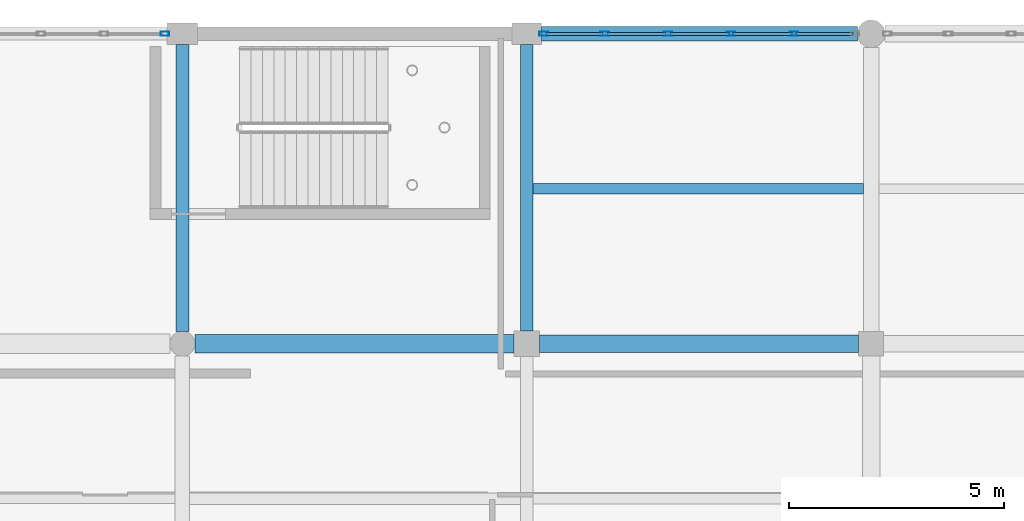
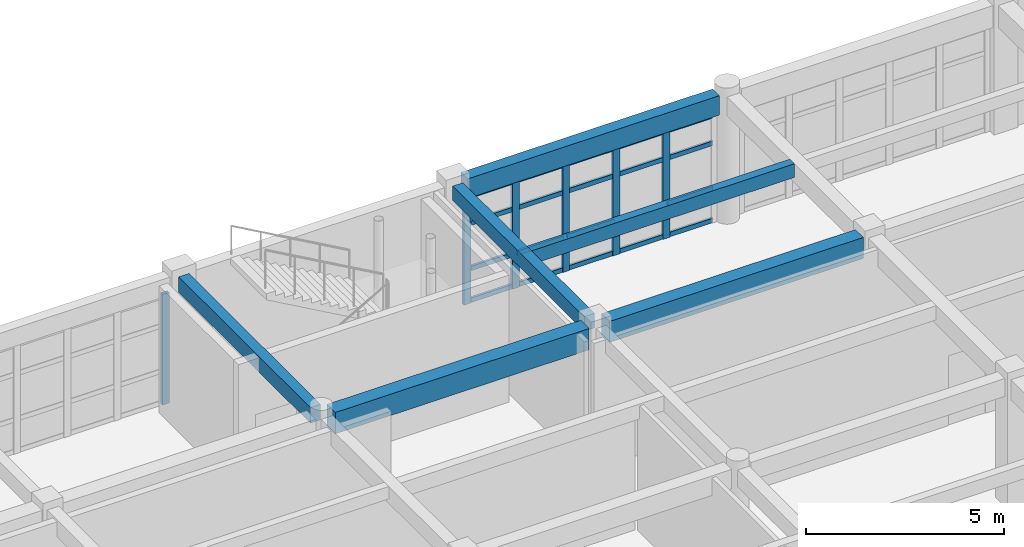
# One storey, part 84 of 121: 26 members, 6 beams, 2 elements without a shape of their own.
"""IFC4 building model written with IfcOpenShell, lengths in metres."""

from ifc_helpers import new_model, si_unit, direction, frame, origin, origin_2d, place, context, subcontext, project, spatial, rectangle, hollow_rectangle, extrude, material, material_profile, profile_set, type_object, element, aggregate, save


model = new_model("IFC4")

# Units and contexts
model_context = context("Model", 3, precision=1e-05, world=origin(), true_north=direction((0.0, 1.0)))
body_context = subcontext(model_context, "Body", "Model", "MODEL_VIEW")
ifc_project = project(units=[si_unit("LENGTHUNIT", "METRE"), si_unit("AREAUNIT", "SQUARE_METRE"), si_unit("VOLUMEUNIT", "CUBIC_METRE"), si_unit("PLANEANGLEUNIT", "RADIAN"), si_unit("MASSUNIT", "GRAM", prefix="KILO")], contexts=[model_context])

# Site, building, storey
site_placement = place(None, origin())
site = spatial("IfcSite", under=ifc_project, at=site_placement, CompositionType="ELEMENT")
building_placement = place(site_placement, origin())
building = spatial("IfcBuilding", under=site, at=building_placement, Name="Kharva Crest Polytechnic", CompositionType="ELEMENT")
storey_placement = place(building_placement, frame((0.0, 0.0, 13.199951171875)))
storey = spatial("IfcBuildingStorey", under=building, at=storey_placement, Name="L03", CompositionType="ELEMENT", Elevation=13.199951171875)

# Beams
ifc_material_1 = material(Name="Concrete C35/45", Category="concrete")
ifc_material_profile_1 = material_profile(ifc_material_1, rectangle(XDim=0.300048828125, YDim=0.449951171875, at=origin_2d()), Name="RECT 300 X 450")
ifc_profile_set_1 = profile_set([ifc_material_profile_1], Name="Concrete C35/45")
beam_type_1 = type_object("IfcBeamType", Name="BM-RC-300X450", PredefinedType="BEAM", material=ifc_profile_set_1)
beam_1_placement = place(storey_placement, frame((152.800048828125, 115.10009765625, 3.735107421875), z_axis=(0.0, 1.0, 0.0), x_axis=(-1.0, 0.0, 0.0)))
element("IfcBeam", 1, at=beam_1_placement, inside=storey, type_object=beam_type_1, Name="L03 Girder 20/R-S", PredefinedType="BEAM", context=body_context, shape_type="SweptSolid", body=[
    extrude(rectangle(XDim=0.300048828125, YDim=0.449951171875, at=origin_2d()), origin(), (0.0, 0.0, 1.0), 6.64990234375),
])
ifc_material_profile_2 = material_profile(ifc_material_1, rectangle(XDim=0.300048828125, YDim=0.47998046875, at=origin_2d()), Name="RECT 300 X 480")
ifc_profile_set_2 = profile_set([ifc_material_profile_2], Name="Concrete C35/45")
beam_type_2 = type_object("IfcBeamType", Name="BM-RC-300X480", PredefinedType="BEAM", material=ifc_profile_set_2)
beam_2_placement = place(storey_placement, frame((144.800048828125, 115.090087890625, 3.719970703125), z_axis=(0.0, 1.0, 0.0), x_axis=(-1.0, 0.0, 0.0)))
element("IfcBeam", 2, at=beam_2_placement, inside=storey, type_object=beam_type_2, Name="L03 Girder 19/R-S", PredefinedType="BEAM", context=body_context, shape_type="SweptSolid", body=[
    extrude(rectangle(XDim=0.300048828125, YDim=0.47998046875, at=origin_2d()), origin(), (0.0, 0.0, 1.0), 6.659912109375),
])
ifc_material_profile_3 = material_profile(ifc_material_1, rectangle(XDim=0.39990234375, YDim=0.64990234375, at=origin_2d()), Name="RECT 400 X 650")
ifc_profile_set_3 = profile_set([ifc_material_profile_3], Name="Concrete C35/45")
beam_type_3 = type_object("IfcBeamType", Name="BM-RC-400X650", PredefinedType="BEAM", material=ifc_profile_set_3)
beam_3_placement = place(storey_placement, frame((153.10009765625, 114.800048828125, 3.635009765625), z_axis=(1.0, 0.0, 0.0), x_axis=(0.0, 1.0, 0.0)))
element("IfcBeam", 3, at=beam_3_placement, inside=storey, type_object=beam_type_3, Name="L03 Beam R/20-21", PredefinedType="BEAM", context=body_context, shape_type="SweptSolid", body=[
    extrude(rectangle(XDim=0.39990234375, YDim=0.64990234375, at=origin_2d()), origin(), (0.0, 0.0, 1.0), 7.409912109375),
])
ifc_material_profile_4 = material_profile(ifc_material_1, rectangle(XDim=0.419921875, YDim=0.659912109375, at=origin_2d()), Name="RECT 420 X 660")
ifc_profile_set_4 = profile_set([ifc_material_profile_4], Name="Concrete C35/45")
beam_type_4 = type_object("IfcBeamType", Name="BM-RC-420X660", PredefinedType="BEAM", material=ifc_profile_set_4)
beam_4_placement = place(storey_placement, frame((145.090087890625, 114.800048828125, 3.630126953125), z_axis=(1.0, 0.0, 0.0), x_axis=(0.0, 1.0, 0.0)))
element("IfcBeam", 4, at=beam_4_placement, inside=storey, type_object=beam_type_4, Name="L03 Beam R/19-20", PredefinedType="BEAM", context=body_context, shape_type="SweptSolid", body=[
    extrude(rectangle(XDim=0.419921875, YDim=0.659912109375, at=origin_2d()), origin(), (0.0, 0.0, 1.0), 7.409912109375),
])

# Curtain wall, members
ifc_material_2 = material(Name="Tempered insulated glass", Category="glass")
curtain_wall_type = type_object("IfcCurtainWallType", Name="CW-SYS-LIBRARY", PredefinedType="USERDEFINED", material=ifc_material_2)
curtain_wall_1_placement = place(storey_placement, origin())
curtain_wall_1 = element("IfcCurtainWall", 5, at=curtain_wall_1_placement, inside=storey, type_object=curtain_wall_type, Name="L03 Glazed Curtain Wall CW-156", ObjectType="CURTAIN WALL", PredefinedType="USERDEFINED")
ifc_material_3 = material(Name="Steel S355", Category="steel")
ifc_material_profile_5 = material_profile(ifc_material_3, hollow_rectangle(XDim=0.10009765625, YDim=0.199951171875, WallThickness=0.00634765625, at=origin_2d()), Name="RHS 200X100X6.3")
ifc_profile_set_5 = profile_set([ifc_material_profile_5], Name="Steel S355")
member_type_1 = type_object("IfcMemberType", Name="CWM-RHS200X100", PredefinedType="MULLION", material=ifc_profile_set_5)
member_1_placement = place(storey_placement, frame((159.009033203125, 122.0, 0.0), z_axis=(0.0, 0.0, 1.0), x_axis=(0.0, -1.0, 0.0)))
member_1 = element("IfcMember", 6, at=member_1_placement, type_object=member_type_1, Name="CW-156 mullion 2", PredefinedType="MULLION", context=body_context, shape_type="SweptSolid", body=[
    extrude(hollow_rectangle(XDim=0.10009765625, YDim=0.199951171875, WallThickness=0.00634765625, at=origin_2d()), origin(), (0.0, 0.0, 1.0), 3.360107421875),
])
member_2_placement = place(storey_placement, frame((157.54296875, 122.0, 0.0), z_axis=(0.0, 0.0, 1.0), x_axis=(0.0, -1.0, 0.0)))
member_2 = element("IfcMember", 7, at=member_2_placement, type_object=member_type_1, Name="CW-156 mullion 3", PredefinedType="MULLION", context=body_context, shape_type="SweptSolid", body=[
    extrude(hollow_rectangle(XDim=0.10009765625, YDim=0.199951171875, WallThickness=0.00634765625, at=origin_2d()), origin(), (0.0, 0.0, 1.0), 3.360107421875),
])
member_3_placement = place(storey_placement, frame((156.076904296875, 122.0, 0.0), z_axis=(0.0, 0.0, 1.0), x_axis=(0.0, -1.0, 0.0)))
member_3 = element("IfcMember", 8, at=member_3_placement, type_object=member_type_1, Name="CW-156 mullion 4", PredefinedType="MULLION", context=body_context, shape_type="SweptSolid", body=[
    extrude(hollow_rectangle(XDim=0.10009765625, YDim=0.199951171875, WallThickness=0.00634765625, at=origin_2d()), origin(), (0.0, 0.0, 1.0), 3.360107421875),
])
member_4_placement = place(storey_placement, frame((154.611083984375, 122.0, 0.0), z_axis=(0.0, 0.0, 1.0), x_axis=(0.0, -1.0, 0.0)))
member_4 = element("IfcMember", 9, at=member_4_placement, type_object=member_type_1, Name="CW-156 mullion 5", PredefinedType="MULLION", context=body_context, shape_type="SweptSolid", body=[
    extrude(hollow_rectangle(XDim=0.10009765625, YDim=0.199951171875, WallThickness=0.00634765625, at=origin_2d()), origin(), (0.0, 0.0, 1.0), 3.360107421875),
])
member_5_placement = place(storey_placement, frame((153.195068359375, 122.0, 0.0), z_axis=(0.0, 0.0, 1.0), x_axis=(0.0, -1.0, 0.0)))
member_5 = element("IfcMember", 10, at=member_5_placement, type_object=member_type_1, Name="CW-156 mullion 6", PredefinedType="MULLION", context=body_context, shape_type="SweptSolid", body=[
    extrude(hollow_rectangle(XDim=0.10009765625, YDim=0.199951171875, WallThickness=0.00634765625, at=origin_2d()), origin(), (0.0, 0.0, 1.0), 3.360107421875),
])

# Curtain wall, member
curtain_wall_2_placement = place(storey_placement, origin())
curtain_wall_2 = element("IfcCurtainWall", 11, at=curtain_wall_2_placement, inside=storey, type_object=curtain_wall_type, Name="L03 Glazed Curtain Wall CW-157", ObjectType="CURTAIN WALL", PredefinedType="USERDEFINED")
member_6_placement = place(storey_placement, frame((144.39501953125, 122.0, 0.0), z_axis=(0.0, 0.0, 1.0), x_axis=(0.0, -1.0, 0.0)))
member_6 = element("IfcMember", 12, at=member_6_placement, type_object=member_type_1, Name="CW-157 mullion 1", PredefinedType="MULLION", context=body_context, shape_type="SweptSolid", body=[
    extrude(hollow_rectangle(XDim=0.10009765625, YDim=0.199951171875, WallThickness=0.00634765625, at=origin_2d()), origin(), (0.0, 0.0, 1.0), 3.41015625),
])
aggregate(curtain_wall_2, [member_6])

# Member
ifc_material_profile_6 = material_profile(ifc_material_3, hollow_rectangle(XDim=0.070068359375, YDim=0.139892578125, WallThickness=0.00390625, at=origin_2d()), Name="RHS 140X70X4.0")
ifc_profile_set_6 = profile_set([ifc_material_profile_6], Name="Steel S355")
member_type_2 = type_object("IfcMemberType", Name="CWT-RHS140X70", PredefinedType="USERDEFINED", material=ifc_profile_set_6)
member_7_placement = place(storey_placement, frame((160.375, 122.0, 0.070068359375), z_axis=(-1.0, 0.0, 0.0), x_axis=(0.0, -1.0, 0.0)))
member_7 = element("IfcMember", 13, at=member_7_placement, type_object=member_type_2, Name="CW-156 transom 1.1", ObjectType="TRANSOM", PredefinedType="USERDEFINED", context=body_context, shape_type="SweptSolid", body=[
    extrude(hollow_rectangle(XDim=0.070068359375, YDim=0.139892578125, WallThickness=0.00390625, at=origin_2d()), origin(), (0.0, 0.0, 1.0), 1.31591796875),
])

member_8_placement = place(storey_placement, frame((160.375, 122.0, 1.050048828125), z_axis=(-1.0, 0.0, 0.0), x_axis=(0.0, -1.0, 0.0)))
member_8 = element("IfcMember", 14, at=member_8_placement, type_object=member_type_2, Name="CW-156 transom 1.2", ObjectType="TRANSOM", PredefinedType="USERDEFINED", context=body_context, shape_type="SweptSolid", body=[
    extrude(hollow_rectangle(XDim=0.070068359375, YDim=0.139892578125, WallThickness=0.00390625, at=origin_2d()), origin(), (0.0, 0.0, 1.0), 1.31591796875),
])

member_9_placement = place(storey_placement, frame((160.375, 122.0, 2.449951171875), z_axis=(-1.0, 0.0, 0.0), x_axis=(0.0, -1.0, 0.0)))
member_9 = element("IfcMember", 15, at=member_9_placement, type_object=member_type_2, Name="CW-156 transom 1.3", ObjectType="TRANSOM", PredefinedType="USERDEFINED", context=body_context, shape_type="SweptSolid", body=[
    extrude(hollow_rectangle(XDim=0.070068359375, YDim=0.139892578125, WallThickness=0.00390625, at=origin_2d()), origin(), (0.0, 0.0, 1.0), 1.31591796875),
])

member_10_placement = place(storey_placement, frame((160.375, 122.0, 3.2900390625), z_axis=(-1.0, 0.0, 0.0), x_axis=(0.0, -1.0, 0.0)))
member_10 = element("IfcMember", 16, at=member_10_placement, type_object=member_type_2, Name="CW-156 transom 1.4", ObjectType="TRANSOM", PredefinedType="USERDEFINED", context=body_context, shape_type="SweptSolid", body=[
    extrude(hollow_rectangle(XDim=0.070068359375, YDim=0.139892578125, WallThickness=0.00390625, at=origin_2d()), origin(), (0.0, 0.0, 1.0), 1.31591796875),
])

member_11_placement = place(storey_placement, frame((158.958984375, 122.0, 0.070068359375), z_axis=(-1.0, 0.0, 0.0), x_axis=(0.0, -1.0, 0.0)))
member_11 = element("IfcMember", 17, at=member_11_placement, type_object=member_type_2, Name="CW-156 transom 2.1", ObjectType="TRANSOM", PredefinedType="USERDEFINED", context=body_context, shape_type="SweptSolid", body=[
    extrude(hollow_rectangle(XDim=0.070068359375, YDim=0.139892578125, WallThickness=0.00390625, at=origin_2d()), origin(), (0.0, 0.0, 1.0), 1.365966796875),
])

member_12_placement = place(storey_placement, frame((158.958984375, 122.0, 1.050048828125), z_axis=(-1.0, 0.0, 0.0), x_axis=(0.0, -1.0, 0.0)))
member_12 = element("IfcMember", 18, at=member_12_placement, type_object=member_type_2, Name="CW-156 transom 2.2", ObjectType="TRANSOM", PredefinedType="USERDEFINED", context=body_context, shape_type="SweptSolid", body=[
    extrude(hollow_rectangle(XDim=0.070068359375, YDim=0.139892578125, WallThickness=0.00390625, at=origin_2d()), origin(), (0.0, 0.0, 1.0), 1.365966796875),
])

member_13_placement = place(storey_placement, frame((158.958984375, 122.0, 2.449951171875), z_axis=(-1.0, 0.0, 0.0), x_axis=(0.0, -1.0, 0.0)))
member_13 = element("IfcMember", 19, at=member_13_placement, type_object=member_type_2, Name="CW-156 transom 2.3", ObjectType="TRANSOM", PredefinedType="USERDEFINED", context=body_context, shape_type="SweptSolid", body=[
    extrude(hollow_rectangle(XDim=0.070068359375, YDim=0.139892578125, WallThickness=0.00390625, at=origin_2d()), origin(), (0.0, 0.0, 1.0), 1.365966796875),
])

member_14_placement = place(storey_placement, frame((158.958984375, 122.0, 3.2900390625), z_axis=(-1.0, 0.0, 0.0), x_axis=(0.0, -1.0, 0.0)))
member_14 = element("IfcMember", 20, at=member_14_placement, type_object=member_type_2, Name="CW-156 transom 2.4", ObjectType="TRANSOM", PredefinedType="USERDEFINED", context=body_context, shape_type="SweptSolid", body=[
    extrude(hollow_rectangle(XDim=0.070068359375, YDim=0.139892578125, WallThickness=0.00390625, at=origin_2d()), origin(), (0.0, 0.0, 1.0), 1.365966796875),
])

member_15_placement = place(storey_placement, frame((157.492919921875, 122.0, 0.070068359375), z_axis=(-1.0, 0.0, 0.0), x_axis=(0.0, -1.0, 0.0)))
member_15 = element("IfcMember", 21, at=member_15_placement, type_object=member_type_2, Name="CW-156 transom 3.1", ObjectType="TRANSOM", PredefinedType="USERDEFINED", context=body_context, shape_type="SweptSolid", body=[
    extrude(hollow_rectangle(XDim=0.070068359375, YDim=0.139892578125, WallThickness=0.00390625, at=origin_2d()), origin(), (0.0, 0.0, 1.0), 1.365966796875),
])

member_16_placement = place(storey_placement, frame((157.492919921875, 122.0, 1.050048828125), z_axis=(-1.0, 0.0, 0.0), x_axis=(0.0, -1.0, 0.0)))
member_16 = element("IfcMember", 22, at=member_16_placement, type_object=member_type_2, Name="CW-156 transom 3.2", ObjectType="TRANSOM", PredefinedType="USERDEFINED", context=body_context, shape_type="SweptSolid", body=[
    extrude(hollow_rectangle(XDim=0.070068359375, YDim=0.139892578125, WallThickness=0.00390625, at=origin_2d()), origin(), (0.0, 0.0, 1.0), 1.365966796875),
])

member_17_placement = place(storey_placement, frame((157.492919921875, 122.0, 2.449951171875), z_axis=(-1.0, 0.0, 0.0), x_axis=(0.0, -1.0, 0.0)))
member_17 = element("IfcMember", 23, at=member_17_placement, type_object=member_type_2, Name="CW-156 transom 3.3", ObjectType="TRANSOM", PredefinedType="USERDEFINED", context=body_context, shape_type="SweptSolid", body=[
    extrude(hollow_rectangle(XDim=0.070068359375, YDim=0.139892578125, WallThickness=0.00390625, at=origin_2d()), origin(), (0.0, 0.0, 1.0), 1.365966796875),
])

member_18_placement = place(storey_placement, frame((157.492919921875, 122.0, 3.2900390625), z_axis=(-1.0, 0.0, 0.0), x_axis=(0.0, -1.0, 0.0)))
member_18 = element("IfcMember", 24, at=member_18_placement, type_object=member_type_2, Name="CW-156 transom 3.4", ObjectType="TRANSOM", PredefinedType="USERDEFINED", context=body_context, shape_type="SweptSolid", body=[
    extrude(hollow_rectangle(XDim=0.070068359375, YDim=0.139892578125, WallThickness=0.00390625, at=origin_2d()), origin(), (0.0, 0.0, 1.0), 1.365966796875),
])

member_19_placement = place(storey_placement, frame((156.027099609375, 122.0, 0.070068359375), z_axis=(-1.0, 0.0, 0.0), x_axis=(0.0, -1.0, 0.0)))
member_19 = element("IfcMember", 25, at=member_19_placement, type_object=member_type_2, Name="CW-156 transom 4.1", ObjectType="TRANSOM", PredefinedType="USERDEFINED", context=body_context, shape_type="SweptSolid", body=[
    extrude(hollow_rectangle(XDim=0.070068359375, YDim=0.139892578125, WallThickness=0.00390625, at=origin_2d()), origin(), (0.0, 0.0, 1.0), 1.3662109375),
])

member_20_placement = place(storey_placement, frame((156.027099609375, 122.0, 1.050048828125), z_axis=(-1.0, 0.0, 0.0), x_axis=(0.0, -1.0, 0.0)))
member_20 = element("IfcMember", 26, at=member_20_placement, type_object=member_type_2, Name="CW-156 transom 4.2", ObjectType="TRANSOM", PredefinedType="USERDEFINED", context=body_context, shape_type="SweptSolid", body=[
    extrude(hollow_rectangle(XDim=0.070068359375, YDim=0.139892578125, WallThickness=0.00390625, at=origin_2d()), origin(), (0.0, 0.0, 1.0), 1.3662109375),
])

member_21_placement = place(storey_placement, frame((156.027099609375, 122.0, 2.449951171875), z_axis=(-1.0, 0.0, 0.0), x_axis=(0.0, -1.0, 0.0)))
member_21 = element("IfcMember", 27, at=member_21_placement, type_object=member_type_2, Name="CW-156 transom 4.3", ObjectType="TRANSOM", PredefinedType="USERDEFINED", context=body_context, shape_type="SweptSolid", body=[
    extrude(hollow_rectangle(XDim=0.070068359375, YDim=0.139892578125, WallThickness=0.00390625, at=origin_2d()), origin(), (0.0, 0.0, 1.0), 1.3662109375),
])

member_22_placement = place(storey_placement, frame((156.027099609375, 122.0, 3.2900390625), z_axis=(-1.0, 0.0, 0.0), x_axis=(0.0, -1.0, 0.0)))
member_22 = element("IfcMember", 28, at=member_22_placement, type_object=member_type_2, Name="CW-156 transom 4.4", ObjectType="TRANSOM", PredefinedType="USERDEFINED", context=body_context, shape_type="SweptSolid", body=[
    extrude(hollow_rectangle(XDim=0.070068359375, YDim=0.139892578125, WallThickness=0.00390625, at=origin_2d()), origin(), (0.0, 0.0, 1.0), 1.3662109375),
])

member_23_placement = place(storey_placement, frame((154.56103515625, 122.0, 0.070068359375), z_axis=(-1.0, 0.0, 0.0), x_axis=(0.0, -1.0, 0.0)))
member_23 = element("IfcMember", 29, at=member_23_placement, type_object=member_type_2, Name="CW-156 transom 5.1", ObjectType="TRANSOM", PredefinedType="USERDEFINED", context=body_context, shape_type="SweptSolid", body=[
    extrude(hollow_rectangle(XDim=0.070068359375, YDim=0.139892578125, WallThickness=0.00390625, at=origin_2d()), origin(), (0.0, 0.0, 1.0), 1.31591796875),
])

member_24_placement = place(storey_placement, frame((154.56103515625, 122.0, 1.050048828125), z_axis=(-1.0, 0.0, 0.0), x_axis=(0.0, -1.0, 0.0)))
member_24 = element("IfcMember", 30, at=member_24_placement, type_object=member_type_2, Name="CW-156 transom 5.2", ObjectType="TRANSOM", PredefinedType="USERDEFINED", context=body_context, shape_type="SweptSolid", body=[
    extrude(hollow_rectangle(XDim=0.070068359375, YDim=0.139892578125, WallThickness=0.00390625, at=origin_2d()), origin(), (0.0, 0.0, 1.0), 1.31591796875),
])

member_25_placement = place(storey_placement, frame((154.56103515625, 122.0, 2.449951171875), z_axis=(-1.0, 0.0, 0.0), x_axis=(0.0, -1.0, 0.0)))
member_25 = element("IfcMember", 31, at=member_25_placement, type_object=member_type_2, Name="CW-156 transom 5.3", ObjectType="TRANSOM", PredefinedType="USERDEFINED", context=body_context, shape_type="SweptSolid", body=[
    extrude(hollow_rectangle(XDim=0.070068359375, YDim=0.139892578125, WallThickness=0.00390625, at=origin_2d()), origin(), (0.0, 0.0, 1.0), 1.31591796875),
])

member_26_placement = place(storey_placement, frame((154.56103515625, 122.0, 3.2900390625), z_axis=(-1.0, 0.0, 0.0), x_axis=(0.0, -1.0, 0.0)))
member_26 = element("IfcMember", 32, at=member_26_placement, type_object=member_type_2, Name="CW-156 transom 5.4", ObjectType="TRANSOM", PredefinedType="USERDEFINED", context=body_context, shape_type="SweptSolid", body=[
    extrude(hollow_rectangle(XDim=0.070068359375, YDim=0.139892578125, WallThickness=0.00390625, at=origin_2d()), origin(), (0.0, 0.0, 1.0), 1.31591796875),
])

aggregate(curtain_wall_1, [member_1, member_2, member_3, member_4, member_5, member_7, member_8, member_9, member_10, member_11, member_12, member_13, member_14, member_15, member_16, member_17, member_18, member_19, member_20, member_21, member_22, member_23, member_24, member_25, member_26])

# Beams
ifc_material_profile_7 = material_profile(ifc_material_1, rectangle(XDim=0.239990234375, YDim=0.419921875, at=origin_2d()), Name="RECT 240 X 420")
ifc_profile_set_7 = profile_set([ifc_material_profile_7], Name="Concrete C35/45")
beam_type_5 = type_object("IfcBeamType", Name="JS-RC-240X420", PredefinedType="JOIST", material=ifc_profile_set_7)
beam_5_placement = place(storey_placement, frame((152.949951171875, 118.39990234375, 3.75), z_axis=(1.0, 0.0, 0.0), x_axis=(0.0, 1.0, 0.0)))
element("IfcBeam", 33, at=beam_5_placement, inside=storey, type_object=beam_type_5, Name="L03 Floor Joist 58", PredefinedType="JOIST", context=body_context, shape_type="SweptSolid", body=[
    extrude(rectangle(XDim=0.239990234375, YDim=0.419921875, at=origin_2d()), origin(), (0.0, 0.0, 1.0), 7.670166015625),
])
ifc_material_profile_8 = material_profile(ifc_material_1, rectangle(XDim=0.340087890625, YDim=0.60009765625, at=origin_2d()), Name="RECT 340 X 600")
ifc_profile_set_8 = profile_set([ifc_material_profile_8], Name="Concrete C35/45")
beam_type_6 = type_object("IfcBeamType", Name="SP-RC-340X600", PredefinedType="SPANDREL", material=ifc_profile_set_8)
beam_6_placement = place(storey_placement, frame((153.139892578125, 122.0, 3.66015625), z_axis=(1.0, 0.0, 0.0), x_axis=(0.0, 1.0, 0.0)))
element("IfcBeam", 34, at=beam_6_placement, inside=storey, type_object=beam_type_6, Name="L03 Beam S/20-21", PredefinedType="SPANDREL", context=body_context, shape_type="SweptSolid", body=[
    extrude(rectangle(XDim=0.340087890625, YDim=0.60009765625, at=origin_2d()), origin(), (0.0, 0.0, 1.0), 7.340087890625),
])

save(model, "model.ifc")
